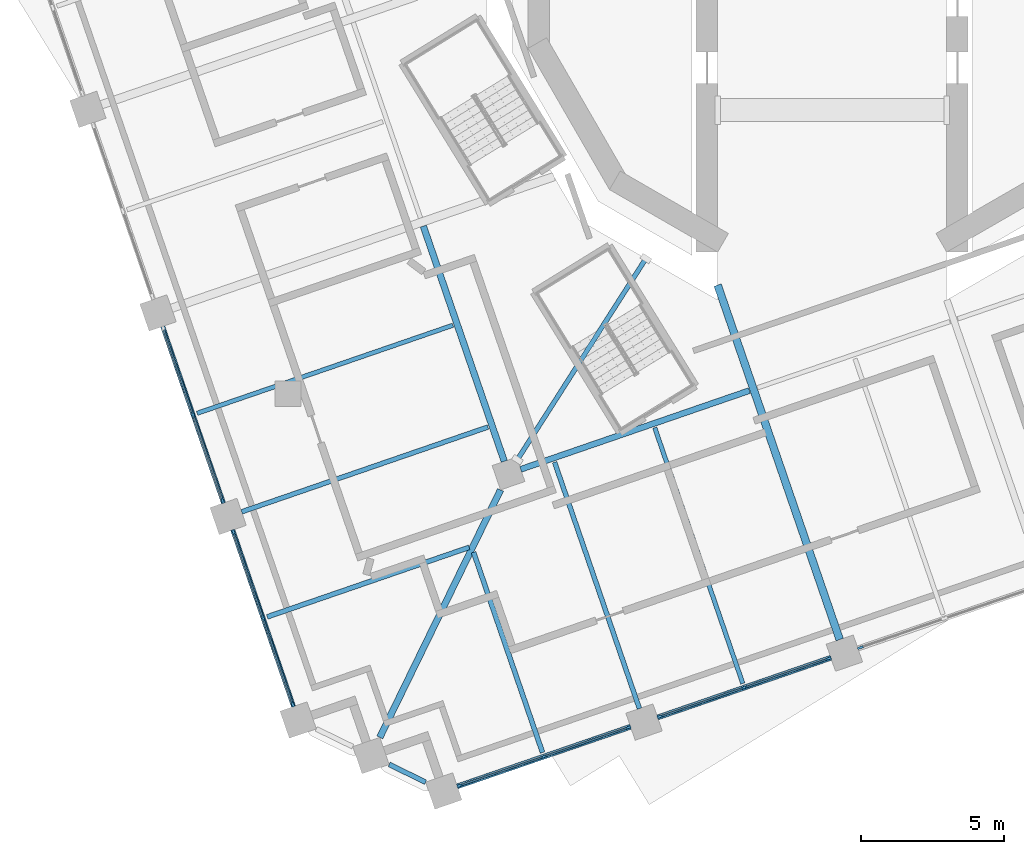
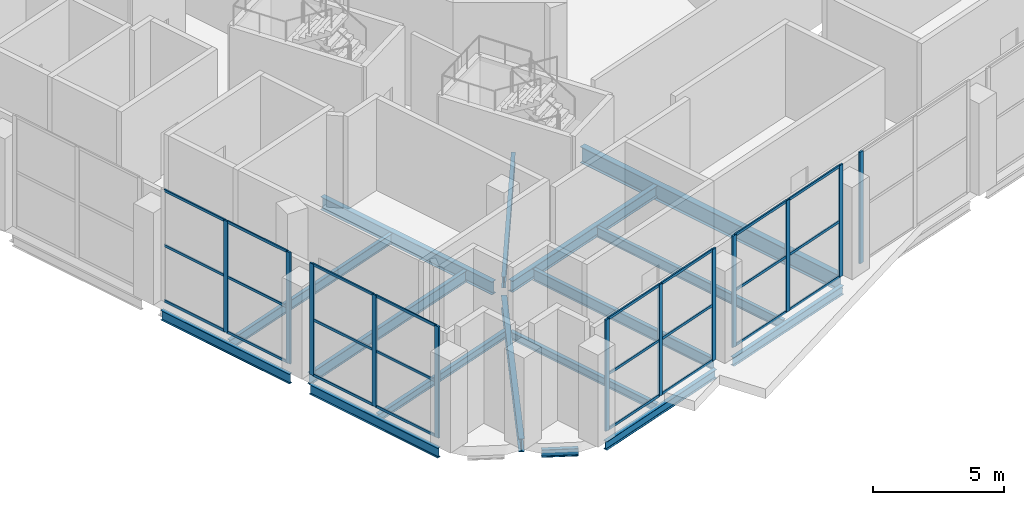
# One storey, part 2 of 20: 36 members, 16 beams, 5 elements without a shape of their own.
"""IFC4 building model written with IfcOpenShell, lengths in metres."""

from ifc_helpers import new_model, si_unit, direction, frame, origin, origin_2d, place, context, subcontext, project, spatial, rectangle, i_section, extrude, material, material_profile, profile_set, type_object, element, aggregate, save


model = new_model("IFC4")

# Units and contexts
model_context = context("Model", 3, precision=1e-05, world=origin(), true_north=direction((0.0, 1.0)))
body_context = subcontext(model_context, "Body", "Model", "MODEL_VIEW")
ifc_project = project(units=[si_unit("LENGTHUNIT", "METRE"), si_unit("AREAUNIT", "SQUARE_METRE"), si_unit("VOLUMEUNIT", "CUBIC_METRE"), si_unit("PLANEANGLEUNIT", "RADIAN"), si_unit("MASSUNIT", "GRAM", prefix="KILO")], contexts=[model_context])

# Site, building, storey
site_placement = place(None, origin())
site = spatial("IfcSite", under=ifc_project, at=site_placement, CompositionType="ELEMENT")
building_placement = place(site_placement, origin())
building = spatial("IfcBuilding", under=site, at=building_placement, Name="Cantera Rosa Tower", CompositionType="ELEMENT")
storey_placement = place(building_placement, frame((0.0, 0.0, 142.10009765625)))
storey = spatial("IfcBuildingStorey", under=building, at=storey_placement, Name="L30", CompositionType="ELEMENT", Elevation=142.10009765625)

# Curtain wall, members
ifc_material_1 = material(Name="Anodised aluminium louvre", Category="aluminium")
curtain_wall_type = type_object("IfcCurtainWallType", Name="CW3 REFUGE LOUVRE WALL", PredefinedType="NOTDEFINED", material=ifc_material_1)
curtain_wall_1_placement = place(storey_placement, origin())
curtain_wall_1 = element("IfcCurtainWall", 1, at=curtain_wall_1_placement, inside=storey, type_object=curtain_wall_type, Name="CW3 CW3", PredefinedType="NOTDEFINED")
ifc_material_2 = material(Name="Anodised bronze aluminium", Category="aluminium")
ifc_material_profile_1 = material_profile(ifc_material_2, rectangle(XDim=0.080078125, YDim=0.199951171875, at=origin_2d()), Name="CW-MULLION 80x200 REFUGE")
ifc_profile_set_1 = profile_set([ifc_material_profile_1], Name="Anodised bronze aluminium")
member_type_1 = type_object("IfcMemberType", Name="CW-MULLION 80x200 REFUGE", PredefinedType="MULLION", material=ifc_profile_set_1)
member_1_placement = place(storey_placement, frame((-22.32421875, -15.64013671875, 0.0), z_axis=(0.0, 0.0, 1.0), x_axis=(0.945518575594, 0.325568154474, 0.0)))
member_1 = element("IfcMember", 2, at=member_1_placement, type_object=member_type_1, Name="CW3 mullion 2", PredefinedType="MULLION", context=body_context, shape_type="SweptSolid", body=[
    extrude(rectangle(XDim=0.080078125, YDim=0.199951171875, at=origin_2d()), origin(), (0.0, 0.0, 1.0), 5.199951171875),
])
member_2_placement = place(storey_placement, frame((-21.292236328125, -18.637451171875, 0.0), z_axis=(0.0, 0.0, 1.0), x_axis=(0.945518575594, 0.325568154474, 0.0)))
member_2 = element("IfcMember", 3, at=member_2_placement, type_object=member_type_1, Name="CW3 mullion 3", PredefinedType="MULLION", context=body_context, shape_type="SweptSolid", body=[
    extrude(rectangle(XDim=0.080078125, YDim=0.199951171875, at=origin_2d()), origin(), (0.0, 0.0, 1.0), 5.199951171875),
])

curtain_wall_2_placement = place(storey_placement, origin())
curtain_wall_2 = element("IfcCurtainWall", 4, at=curtain_wall_2_placement, inside=storey, type_object=curtain_wall_type, Name="CW3 CW3", PredefinedType="NOTDEFINED")
member_3_placement = place(storey_placement, frame((-20.908203125, -19.753173828125, 0.0), z_axis=(0.0, 0.0, 1.0), x_axis=(0.945518575605, 0.325568154441, 0.0)))
member_3 = element("IfcMember", 5, at=member_3_placement, type_object=member_type_1, Name="CW3 mullion 1", PredefinedType="MULLION", context=body_context, shape_type="SweptSolid", body=[
    extrude(rectangle(XDim=0.080078125, YDim=0.199951171875, at=origin_2d()), origin(), (0.0, 0.0, 1.0), 5.199951171875),
])
member_4_placement = place(storey_placement, frame((-19.8759765625, -22.75048828125, 0.0), z_axis=(0.0, 0.0, 1.0), x_axis=(0.945518575605, 0.325568154441, 0.0)))
member_4 = element("IfcMember", 6, at=member_4_placement, type_object=member_type_1, Name="CW3 mullion 2", PredefinedType="MULLION", context=body_context, shape_type="SweptSolid", body=[
    extrude(rectangle(XDim=0.080078125, YDim=0.199951171875, at=origin_2d()), origin(), (0.0, 0.0, 1.0), 5.199951171875),
])
member_5_placement = place(storey_placement, frame((-18.843994140625, -25.747802734375, 0.0), z_axis=(0.0, 0.0, 1.0), x_axis=(0.945518575605, 0.325568154441, 0.0)))
member_5 = element("IfcMember", 7, at=member_5_placement, type_object=member_type_1, Name="CW3 mullion 3", PredefinedType="MULLION", context=body_context, shape_type="SweptSolid", body=[
    extrude(rectangle(XDim=0.080078125, YDim=0.199951171875, at=origin_2d()), origin(), (0.0, 0.0, 1.0), 5.199951171875),
])

curtain_wall_3_placement = place(storey_placement, origin())
curtain_wall_3 = element("IfcCurtainWall", 8, at=curtain_wall_3_placement, inside=storey, type_object=curtain_wall_type, Name="CW3 CW3", PredefinedType="NOTDEFINED")
member_6_placement = place(storey_placement, frame((-13.009765625, -28.59326171875, 0.0), z_axis=(0.0, 0.0, 1.0), x_axis=(-0.325568154408, 0.945518575616, 0.0)))
member_6 = element("IfcMember", 9, at=member_6_placement, type_object=member_type_1, Name="CW3 mullion 1", PredefinedType="MULLION", context=body_context, shape_type="SweptSolid", body=[
    extrude(rectangle(XDim=0.080078125, YDim=0.199951171875, at=origin_2d()), origin(), (0.0, 0.0, 1.0), 5.199951171875),
])
member_7_placement = place(storey_placement, frame((-10.069091796875, -27.580810546875, 0.0), z_axis=(0.0, 0.0, 1.0), x_axis=(-0.325568154408, 0.945518575616, 0.0)))
member_7 = element("IfcMember", 10, at=member_7_placement, type_object=member_type_1, Name="CW3 mullion 2", PredefinedType="MULLION", context=body_context, shape_type="SweptSolid", body=[
    extrude(rectangle(XDim=0.080078125, YDim=0.199951171875, at=origin_2d()), origin(), (0.0, 0.0, 1.0), 5.199951171875),
])
member_8_placement = place(storey_placement, frame((-7.128662109375, -26.568359375, 0.0), z_axis=(0.0, 0.0, 1.0), x_axis=(-0.325568154408, 0.945518575616, 0.0)))
member_8 = element("IfcMember", 11, at=member_8_placement, type_object=member_type_1, Name="CW3 mullion 3", PredefinedType="MULLION", context=body_context, shape_type="SweptSolid", body=[
    extrude(rectangle(XDim=0.080078125, YDim=0.199951171875, at=origin_2d()), origin(), (0.0, 0.0, 1.0), 5.199951171875),
])

curtain_wall_4_placement = place(storey_placement, origin())
curtain_wall_4 = element("IfcCurtainWall", 12, at=curtain_wall_4_placement, inside=storey, type_object=curtain_wall_type, Name="CW3 CW3", PredefinedType="NOTDEFINED")
member_9_placement = place(storey_placement, frame((-6.012939453125, -26.18408203125, 0.0), z_axis=(0.0, 0.0, 1.0), x_axis=(-0.325568154457, 0.945518575599, 0.0)))
member_9 = element("IfcMember", 13, at=member_9_placement, type_object=member_type_1, Name="CW3 mullion 1", PredefinedType="MULLION", context=body_context, shape_type="SweptSolid", body=[
    extrude(rectangle(XDim=0.080078125, YDim=0.199951171875, at=origin_2d()), origin(), (0.0, 0.0, 1.0), 5.199951171875),
])
member_10_placement = place(storey_placement, frame((-3.072265625, -25.171630859375, 0.0), z_axis=(0.0, 0.0, 1.0), x_axis=(-0.325568154457, 0.945518575599, 0.0)))
member_10 = element("IfcMember", 14, at=member_10_placement, type_object=member_type_1, Name="CW3 mullion 2", PredefinedType="MULLION", context=body_context, shape_type="SweptSolid", body=[
    extrude(rectangle(XDim=0.080078125, YDim=0.199951171875, at=origin_2d()), origin(), (0.0, 0.0, 1.0), 5.199951171875),
])
member_11_placement = place(storey_placement, frame((-0.1318359375, -24.1591796875, 0.0), z_axis=(0.0, 0.0, 1.0), x_axis=(-0.325568154457, 0.945518575599, 0.0)))
member_11 = element("IfcMember", 15, at=member_11_placement, type_object=member_type_1, Name="CW3 mullion 3", PredefinedType="MULLION", context=body_context, shape_type="SweptSolid", body=[
    extrude(rectangle(XDim=0.080078125, YDim=0.199951171875, at=origin_2d()), origin(), (0.0, 0.0, 1.0), 5.199951171875),
])

# Curtain wall, member
curtain_wall_5_placement = place(storey_placement, origin())
curtain_wall_5 = element("IfcCurtainWall", 16, at=curtain_wall_5_placement, inside=storey, type_object=curtain_wall_type, Name="CW3 CW3", PredefinedType="NOTDEFINED")
member_12_placement = place(storey_placement, frame((0.98388671875, -23.77490234375, 0.0), z_axis=(0.0, 0.0, 1.0), x_axis=(-0.325568154408, 0.945518575616, 0.0)))
member_12 = element("IfcMember", 17, at=member_12_placement, type_object=member_type_1, Name="CW3 mullion 1", PredefinedType="MULLION", context=body_context, shape_type="SweptSolid", body=[
    extrude(rectangle(XDim=0.080078125, YDim=0.199951171875, at=origin_2d()), origin(), (0.0, 0.0, 1.0), 5.199951171875),
])
aggregate(curtain_wall_5, [member_12])

# Member
ifc_material_3 = material(Name="Anodised bronze aluminium", Category="aluminium")
ifc_material_profile_2 = material_profile(ifc_material_3, rectangle(XDim=0.06005859375, YDim=0.1201171875, at=origin_2d()), Name="CW-TRANSOM 60x120 REFUGE")
ifc_profile_set_2 = profile_set([ifc_material_profile_2], Name="Anodised bronze aluminium")
member_type_2 = type_object("IfcMemberType", Name="CW-TRANSOM 60x120 REFUGE", PredefinedType="USERDEFINED", material=ifc_profile_set_2)
member_13_placement = place(storey_placement, frame((-23.34326171875, -12.6806640625, 0.02978515625), z_axis=(0.325527993713, -0.945532403098, 0.0), x_axis=(0.945532403098, 0.325527993713, 0.0)))
member_13 = element("IfcMember", 18, at=member_13_placement, type_object=member_type_2, Name="CW3 transom 1.1", ObjectType="TRANSOM", PredefinedType="USERDEFINED", context=body_context, shape_type="SweptSolid", body=[
    extrude(rectangle(XDim=0.06005859375, YDim=0.1201171875, at=origin_2d()), origin(), (0.0, 0.0, 1.0), 3.08984375),
])

member_14_placement = place(storey_placement, frame((-23.34326171875, -12.6806640625, 2.599853515625), z_axis=(0.325527993713, -0.945532403098, 0.0), x_axis=(0.945532403098, 0.325527993713, 0.0)))
member_14 = element("IfcMember", 19, at=member_14_placement, type_object=member_type_2, Name="CW3 transom 1.2", ObjectType="TRANSOM", PredefinedType="USERDEFINED", context=body_context, shape_type="SweptSolid", body=[
    extrude(rectangle(XDim=0.06005859375, YDim=0.1201171875, at=origin_2d()), origin(), (0.0, 0.0, 1.0), 3.08984375),
])

member_15_placement = place(storey_placement, frame((-23.34326171875, -12.6806640625, 5.169921875), z_axis=(0.325527993713, -0.945532403098, 0.0), x_axis=(0.945532403098, 0.325527993713, 0.0)))
member_15 = element("IfcMember", 20, at=member_15_placement, type_object=member_type_2, Name="CW3 transom 1.3", ObjectType="TRANSOM", PredefinedType="USERDEFINED", context=body_context, shape_type="SweptSolid", body=[
    extrude(rectangle(XDim=0.06005859375, YDim=0.1201171875, at=origin_2d()), origin(), (0.0, 0.0, 1.0), 3.08984375),
])

member_16_placement = place(storey_placement, frame((-22.311279296875, -15.677978515625, 0.02978515625), z_axis=(0.325598629893, -0.945508081516, 0.0), x_axis=(0.945508081516, 0.325598629893, 0.0)))
member_16 = element("IfcMember", 21, at=member_16_placement, type_object=member_type_2, Name="CW3 transom 2.1", ObjectType="TRANSOM", PredefinedType="USERDEFINED", context=body_context, shape_type="SweptSolid", body=[
    extrude(rectangle(XDim=0.06005859375, YDim=0.1201171875, at=origin_2d()), origin(), (0.0, 0.0, 1.0), 3.090087890625),
])

member_17_placement = place(storey_placement, frame((-22.311279296875, -15.677978515625, 2.599853515625), z_axis=(0.325598629893, -0.945508081516, 0.0), x_axis=(0.945508081516, 0.325598629893, 0.0)))
member_17 = element("IfcMember", 22, at=member_17_placement, type_object=member_type_2, Name="CW3 transom 2.2", ObjectType="TRANSOM", PredefinedType="USERDEFINED", context=body_context, shape_type="SweptSolid", body=[
    extrude(rectangle(XDim=0.06005859375, YDim=0.1201171875, at=origin_2d()), origin(), (0.0, 0.0, 1.0), 3.090087890625),
])

member_18_placement = place(storey_placement, frame((-22.311279296875, -15.677978515625, 5.169921875), z_axis=(0.325598629893, -0.945508081516, 0.0), x_axis=(0.945508081516, 0.325598629893, 0.0)))
member_18 = element("IfcMember", 23, at=member_18_placement, type_object=member_type_2, Name="CW3 transom 2.3", ObjectType="TRANSOM", PredefinedType="USERDEFINED", context=body_context, shape_type="SweptSolid", body=[
    extrude(rectangle(XDim=0.06005859375, YDim=0.1201171875, at=origin_2d()), origin(), (0.0, 0.0, 1.0), 3.090087890625),
])

aggregate(curtain_wall_1, [member_1, member_2, member_13, member_14, member_15, member_16, member_17, member_18])

member_19_placement = place(storey_placement, frame((-20.89501953125, -19.791015625, 0.02978515625), z_axis=(0.325527993713, -0.945532403098, 0.0), x_axis=(0.945532403098, 0.325527993713, 0.0)))
member_19 = element("IfcMember", 24, at=member_19_placement, type_object=member_type_2, Name="CW3 transom 1.1", ObjectType="TRANSOM", PredefinedType="USERDEFINED", context=body_context, shape_type="SweptSolid", body=[
    extrude(rectangle(XDim=0.06005859375, YDim=0.1201171875, at=origin_2d()), origin(), (0.0, 0.0, 1.0), 3.08984375),
])

member_20_placement = place(storey_placement, frame((-20.89501953125, -19.791015625, 2.599853515625), z_axis=(0.325527993713, -0.945532403098, 0.0), x_axis=(0.945532403098, 0.325527993713, 0.0)))
member_20 = element("IfcMember", 25, at=member_20_placement, type_object=member_type_2, Name="CW3 transom 1.2", ObjectType="TRANSOM", PredefinedType="USERDEFINED", context=body_context, shape_type="SweptSolid", body=[
    extrude(rectangle(XDim=0.06005859375, YDim=0.1201171875, at=origin_2d()), origin(), (0.0, 0.0, 1.0), 3.08984375),
])

member_21_placement = place(storey_placement, frame((-20.89501953125, -19.791015625, 5.169921875), z_axis=(0.325527993713, -0.945532403098, 0.0), x_axis=(0.945532403098, 0.325527993713, 0.0)))
member_21 = element("IfcMember", 26, at=member_21_placement, type_object=member_type_2, Name="CW3 transom 1.3", ObjectType="TRANSOM", PredefinedType="USERDEFINED", context=body_context, shape_type="SweptSolid", body=[
    extrude(rectangle(XDim=0.06005859375, YDim=0.1201171875, at=origin_2d()), origin(), (0.0, 0.0, 1.0), 3.08984375),
])

member_22_placement = place(storey_placement, frame((-19.863037109375, -22.788330078125, 0.02978515625), z_axis=(0.325598629893, -0.945508081516, 0.0), x_axis=(0.945508081516, 0.325598629893, 0.0)))
member_22 = element("IfcMember", 27, at=member_22_placement, type_object=member_type_2, Name="CW3 transom 2.1", ObjectType="TRANSOM", PredefinedType="USERDEFINED", context=body_context, shape_type="SweptSolid", body=[
    extrude(rectangle(XDim=0.06005859375, YDim=0.1201171875, at=origin_2d()), origin(), (0.0, 0.0, 1.0), 3.090087890625),
])

member_23_placement = place(storey_placement, frame((-19.863037109375, -22.788330078125, 2.599853515625), z_axis=(0.325598629893, -0.945508081516, 0.0), x_axis=(0.945508081516, 0.325598629893, 0.0)))
member_23 = element("IfcMember", 28, at=member_23_placement, type_object=member_type_2, Name="CW3 transom 2.2", ObjectType="TRANSOM", PredefinedType="USERDEFINED", context=body_context, shape_type="SweptSolid", body=[
    extrude(rectangle(XDim=0.06005859375, YDim=0.1201171875, at=origin_2d()), origin(), (0.0, 0.0, 1.0), 3.090087890625),
])

member_24_placement = place(storey_placement, frame((-19.863037109375, -22.788330078125, 5.169921875), z_axis=(0.325598629893, -0.945508081516, 0.0), x_axis=(0.945508081516, 0.325598629893, 0.0)))
member_24 = element("IfcMember", 29, at=member_24_placement, type_object=member_type_2, Name="CW3 transom 2.3", ObjectType="TRANSOM", PredefinedType="USERDEFINED", context=body_context, shape_type="SweptSolid", body=[
    extrude(rectangle(XDim=0.06005859375, YDim=0.1201171875, at=origin_2d()), origin(), (0.0, 0.0, 1.0), 3.090087890625),
])

aggregate(curtain_wall_2, [member_3, member_4, member_5, member_19, member_20, member_21, member_22, member_23, member_24])

member_25_placement = place(storey_placement, frame((-12.971923828125, -28.580322265625, 0.02978515625), z_axis=(0.94551075118, 0.325590877334, 0.0), x_axis=(-0.325590877334, 0.94551075118, 0.0)))
member_25 = element("IfcMember", 30, at=member_25_placement, type_object=member_type_2, Name="CW3 transom 1.1", ObjectType="TRANSOM", PredefinedType="USERDEFINED", context=body_context, shape_type="SweptSolid", body=[
    extrude(rectangle(XDim=0.06005859375, YDim=0.1201171875, at=origin_2d()), origin(), (0.0, 0.0, 1.0), 3.030029296875),
])

member_26_placement = place(storey_placement, frame((-12.971923828125, -28.580322265625, 2.599853515625), z_axis=(0.94551075118, 0.325590877334, 0.0), x_axis=(-0.325590877334, 0.94551075118, 0.0)))
member_26 = element("IfcMember", 31, at=member_26_placement, type_object=member_type_2, Name="CW3 transom 1.2", ObjectType="TRANSOM", PredefinedType="USERDEFINED", context=body_context, shape_type="SweptSolid", body=[
    extrude(rectangle(XDim=0.06005859375, YDim=0.1201171875, at=origin_2d()), origin(), (0.0, 0.0, 1.0), 3.030029296875),
])

member_27_placement = place(storey_placement, frame((-12.971923828125, -28.580322265625, 5.169921875), z_axis=(0.94551075118, 0.325590877334, 0.0), x_axis=(-0.325590877334, 0.94551075118, 0.0)))
member_27 = element("IfcMember", 32, at=member_27_placement, type_object=member_type_2, Name="CW3 transom 1.3", ObjectType="TRANSOM", PredefinedType="USERDEFINED", context=body_context, shape_type="SweptSolid", body=[
    extrude(rectangle(XDim=0.06005859375, YDim=0.1201171875, at=origin_2d()), origin(), (0.0, 0.0, 1.0), 3.030029296875),
])

member_28_placement = place(storey_placement, frame((-10.03125, -27.56787109375, 0.02978515625), z_axis=(0.945502208828, 0.325615683132, 0.0), x_axis=(-0.325615683132, 0.945502208828, 0.0)))
member_28 = element("IfcMember", 33, at=member_28_placement, type_object=member_type_2, Name="CW3 transom 2.1", ObjectType="TRANSOM", PredefinedType="USERDEFINED", context=body_context, shape_type="SweptSolid", body=[
    extrude(rectangle(XDim=0.06005859375, YDim=0.1201171875, at=origin_2d()), origin(), (0.0, 0.0, 1.0), 3.02978515625),
])

member_29_placement = place(storey_placement, frame((-10.03125, -27.56787109375, 2.599853515625), z_axis=(0.945502208828, 0.325615683132, 0.0), x_axis=(-0.325615683132, 0.945502208828, 0.0)))
member_29 = element("IfcMember", 34, at=member_29_placement, type_object=member_type_2, Name="CW3 transom 2.2", ObjectType="TRANSOM", PredefinedType="USERDEFINED", context=body_context, shape_type="SweptSolid", body=[
    extrude(rectangle(XDim=0.06005859375, YDim=0.1201171875, at=origin_2d()), origin(), (0.0, 0.0, 1.0), 3.02978515625),
])

member_30_placement = place(storey_placement, frame((-10.03125, -27.56787109375, 5.169921875), z_axis=(0.945502208828, 0.325615683132, 0.0), x_axis=(-0.325615683132, 0.945502208828, 0.0)))
member_30 = element("IfcMember", 35, at=member_30_placement, type_object=member_type_2, Name="CW3 transom 2.3", ObjectType="TRANSOM", PredefinedType="USERDEFINED", context=body_context, shape_type="SweptSolid", body=[
    extrude(rectangle(XDim=0.06005859375, YDim=0.1201171875, at=origin_2d()), origin(), (0.0, 0.0, 1.0), 3.02978515625),
])

aggregate(curtain_wall_3, [member_6, member_7, member_8, member_25, member_26, member_27, member_28, member_29, member_30])

member_31_placement = place(storey_placement, frame((-5.97509765625, -26.171142578125, 0.02978515625), z_axis=(0.94551075118, 0.325590877334, 0.0), x_axis=(-0.325590877334, 0.94551075118, 0.0)))
member_31 = element("IfcMember", 36, at=member_31_placement, type_object=member_type_2, Name="CW3 transom 1.1", ObjectType="TRANSOM", PredefinedType="USERDEFINED", context=body_context, shape_type="SweptSolid", body=[
    extrude(rectangle(XDim=0.06005859375, YDim=0.1201171875, at=origin_2d()), origin(), (0.0, 0.0, 1.0), 3.030029296875),
])

member_32_placement = place(storey_placement, frame((-5.97509765625, -26.171142578125, 2.599853515625), z_axis=(0.94551075118, 0.325590877334, 0.0), x_axis=(-0.325590877334, 0.94551075118, 0.0)))
member_32 = element("IfcMember", 37, at=member_32_placement, type_object=member_type_2, Name="CW3 transom 1.2", ObjectType="TRANSOM", PredefinedType="USERDEFINED", context=body_context, shape_type="SweptSolid", body=[
    extrude(rectangle(XDim=0.06005859375, YDim=0.1201171875, at=origin_2d()), origin(), (0.0, 0.0, 1.0), 3.030029296875),
])

member_33_placement = place(storey_placement, frame((-5.97509765625, -26.171142578125, 5.169921875), z_axis=(0.94551075118, 0.325590877334, 0.0), x_axis=(-0.325590877334, 0.94551075118, 0.0)))
member_33 = element("IfcMember", 38, at=member_33_placement, type_object=member_type_2, Name="CW3 transom 1.3", ObjectType="TRANSOM", PredefinedType="USERDEFINED", context=body_context, shape_type="SweptSolid", body=[
    extrude(rectangle(XDim=0.06005859375, YDim=0.1201171875, at=origin_2d()), origin(), (0.0, 0.0, 1.0), 3.030029296875),
])

member_34_placement = place(storey_placement, frame((-3.034423828125, -25.15869140625, 0.02978515625), z_axis=(0.945502208828, 0.325615683132, 0.0), x_axis=(-0.325615683132, 0.945502208828, 0.0)))
member_34 = element("IfcMember", 39, at=member_34_placement, type_object=member_type_2, Name="CW3 transom 2.1", ObjectType="TRANSOM", PredefinedType="USERDEFINED", context=body_context, shape_type="SweptSolid", body=[
    extrude(rectangle(XDim=0.06005859375, YDim=0.1201171875, at=origin_2d()), origin(), (0.0, 0.0, 1.0), 3.02978515625),
])

member_35_placement = place(storey_placement, frame((-3.034423828125, -25.15869140625, 2.599853515625), z_axis=(0.945502208828, 0.325615683132, 0.0), x_axis=(-0.325615683132, 0.945502208828, 0.0)))
member_35 = element("IfcMember", 40, at=member_35_placement, type_object=member_type_2, Name="CW3 transom 2.2", ObjectType="TRANSOM", PredefinedType="USERDEFINED", context=body_context, shape_type="SweptSolid", body=[
    extrude(rectangle(XDim=0.06005859375, YDim=0.1201171875, at=origin_2d()), origin(), (0.0, 0.0, 1.0), 3.02978515625),
])

member_36_placement = place(storey_placement, frame((-3.034423828125, -25.15869140625, 5.169921875), z_axis=(0.945502208828, 0.325615683132, 0.0), x_axis=(-0.325615683132, 0.945502208828, 0.0)))
member_36 = element("IfcMember", 41, at=member_36_placement, type_object=member_type_2, Name="CW3 transom 2.3", ObjectType="TRANSOM", PredefinedType="USERDEFINED", context=body_context, shape_type="SweptSolid", body=[
    extrude(rectangle(XDim=0.06005859375, YDim=0.1201171875, at=origin_2d()), origin(), (0.0, 0.0, 1.0), 3.02978515625),
])

aggregate(curtain_wall_4, [member_9, member_10, member_11, member_31, member_32, member_33, member_34, member_35, member_36])

# Beams
ifc_material_4 = material(Name="Steel ASTM A992 (Fy 345 MPa)", Category="steel")
ifc_material_profile_3 = material_profile(ifc_material_4, i_section(OverallWidth=0.166015625, OverallDepth=0.528076171875, WebThickness=0.009765625, FlangeThickness=0.013671875, FilletRadius=0.0126953125, at=origin_2d()), Name="W530X74")
ifc_profile_set_3 = profile_set([ifc_material_profile_3], Name="Steel ASTM A992 (Fy 345 MPa)")
beam_type_1 = type_object("IfcBeamType", Name="STEEL BEAM W530X74", PredefinedType="BEAM", material=ifc_profile_set_3)
for number, where, z_axis, x_axis, name in (
    (42, (-6.7333984375, -25.903564453125, -0.714111328125), (-0.325588827377, 0.945511457089, 0.0), (-0.945511457089, -0.325588827377, 0.0), "G-Z2-10 L30"),
    (43, (-20.62744140625, -19.032470703125, -0.714111328125), (0.94551971591, 0.325564842737, 0.0), (-0.325564842737, 0.94551971591, 0.0), "G-Z2-18 L30"),
):
    element("IfcBeam", number, at=place(storey_placement, frame(where, z_axis=z_axis, x_axis=x_axis)), inside=storey, type_object=beam_type_1, Name=name, PredefinedType="BEAM", context=body_context, shape_type="SweptSolid", body=[
        extrude(i_section(OverallWidth=0.166015625, OverallDepth=0.528076171875, WebThickness=0.009765625, FlangeThickness=0.013671875, FilletRadius=0.0126953125, at=origin_2d()), origin(), (0.0, 0.0, 1.0), 9.10009765625),
    ])
beam_1_placement = place(storey_placement, frame((-10.995849609375, -17.21044921875, -0.714111328125), z_axis=(0.538396209095, 0.842691830999, 0.0), x_axis=(-0.842691830999, 0.538396209095, 0.0)))
element("IfcBeam", 44, at=beam_1_placement, inside=storey, type_object=beam_type_1, Name="PG-Z2-01 L30", PredefinedType="BEAM", context=body_context, shape_type="SweptSolid", body=[
    extrude(i_section(OverallWidth=0.166015625, OverallDepth=0.528076171875, WebThickness=0.009765625, FlangeThickness=0.013671875, FilletRadius=0.0126953125, at=origin_2d()), origin(), (0.0, 0.0, 1.0), 8.3369140625),
])
ifc_material_5 = material(Name="Steel ASTM A992 (Fy 345 MPa)", Category="steel")
ifc_material_profile_4 = material_profile(ifc_material_5, i_section(OverallWidth=0.208984375, OverallDepth=0.532958984375, WebThickness=0.01025390625, FlangeThickness=0.015625, FilletRadius=0.0126953125, at=origin_2d()), Name="W530X92")
ifc_profile_set_4 = profile_set([ifc_material_profile_4], Name="Steel ASTM A992 (Fy 345 MPa)")
beam_type_2 = type_object("IfcBeamType", Name="STEEL BEAM W530X92", PredefinedType="BEAM", material=ifc_profile_set_4)
beam_2_placement = place(storey_placement, frame((-10.879638671875, -17.548095703125, -0.716552734375), z_axis=(0.945522715377, 0.325556131421, 0.0), x_axis=(-0.325556131421, 0.945522715377, 0.0)))
element("IfcBeam", 45, at=beam_2_placement, inside=storey, type_object=beam_type_2, Name="RB-Z2-05 L30", PredefinedType="BEAM", context=body_context, shape_type="SweptSolid", body=[
    extrude(i_section(OverallWidth=0.208984375, OverallDepth=0.532958984375, WebThickness=0.01025390625, FlangeThickness=0.015625, FilletRadius=0.0126953125, at=origin_2d()), origin(), (0.0, 0.0, 1.0), 8.4501953125),
])
ifc_material_6 = material(Name="Steel ASTM A992 (Fy 345 MPa)", Category="steel")
ifc_material_profile_5 = material_profile(ifc_material_6, i_section(OverallWidth=0.22802734375, OverallDepth=0.60205078125, WebThickness=0.010498046875, FlangeThickness=0.014892578125, FilletRadius=0.0126953125, at=origin_2d()), Name="W610X101")
ifc_profile_set_5 = profile_set([ifc_material_profile_5], Name="Steel ASTM A992 (Fy 345 MPa)")
beam_type_3 = type_object("IfcBeamType", Name="STEEL BEAM W610X101", PredefinedType="BEAM", material=ifc_profile_set_5)
beam_3_placement = place(storey_placement, frame((-15.7998046875, -26.909912109375, -0.7509765625), z_axis=(0.438387618569, 0.898786012288, 0.0), x_axis=(-0.898786012288, 0.438387618569, 0.0)))
element("IfcBeam", 46, at=beam_3_placement, inside=storey, type_object=beam_type_3, Name="CB-Z2-03 L30", PredefinedType="BEAM", context=body_context, shape_type="SweptSolid", body=[
    extrude(i_section(OverallWidth=0.22802734375, OverallDepth=0.60205078125, WebThickness=0.010498046875, FlangeThickness=0.014892578125, FilletRadius=0.0126953125, at=origin_2d()), origin(), (0.0, 0.0, 1.0), 9.61669921875),
])
beam_4_placement = place(storey_placement, frame((-11.45166015625, -17.26904296875, -0.7509765625), z_axis=(-0.325559468466, 0.945521566381, 0.0), x_axis=(-0.945521566381, -0.325559468466, 0.0)))
element("IfcBeam", 47, at=beam_4_placement, inside=storey, type_object=beam_type_3, Name="RB-Z2-12 L30", PredefinedType="BEAM", context=body_context, shape_type="SweptSolid", body=[
    extrude(i_section(OverallWidth=0.22802734375, OverallDepth=0.60205078125, WebThickness=0.010498046875, FlangeThickness=0.014892578125, FilletRadius=0.0126953125, at=origin_2d()), origin(), (0.0, 0.0, 1.0), 8.68994140625),
])
ifc_material_7 = material(Name="Steel ASTM A992 (Fy 345 MPa)", Category="steel")
ifc_material_profile_6 = material_profile(ifc_material_7, i_section(OverallWidth=0.26708984375, OverallDepth=0.75390625, WebThickness=0.01318359375, FlangeThickness=0.01708984375, FilletRadius=0.0166015625, at=origin_2d()), Name="W760X147")
ifc_profile_set_6 = profile_set([ifc_material_profile_6], Name="Steel ASTM A992 (Fy 345 MPa)")
beam_type_4 = type_object("IfcBeamType", Name="STEEL BEAM W760X147", PredefinedType="BEAM", material=ifc_profile_set_6)
beam_5_placement = place(storey_placement, frame((0.263427734375, -23.494384765625, -0.8271484375), z_axis=(-0.325569500581, 0.945518112091, 0.0), x_axis=(-0.945518112091, -0.325569500581, 0.0)))
element("IfcBeam", 48, at=beam_5_placement, inside=storey, type_object=beam_type_4, Name="G-Z2-11 L30", PredefinedType="BEAM", context=body_context, shape_type="SweptSolid", body=[
    extrude(i_section(OverallWidth=0.26708984375, OverallDepth=0.75390625, WebThickness=0.01318359375, FlangeThickness=0.01708984375, FilletRadius=0.0166015625, at=origin_2d()), origin(), (0.0, 0.0, 1.0), 13.09521484375),
])
ifc_material_8 = material(Name="Steel ASTM A992 (Fy 345 MPa)", Category="steel")
ifc_material_profile_7 = material_profile(ifc_material_8, i_section(OverallWidth=0.1708984375, OverallDepth=0.35595703125, WebThickness=0.00732421875, FlangeThickness=0.01171875, FilletRadius=0.010009765625, at=origin_2d()), Name="W360X51")
ifc_profile_set_7 = profile_set([ifc_material_profile_7], Name="Steel ASTM A992 (Fy 345 MPa)")
beam_type_5 = type_object("IfcBeamType", Name="STEEL JOIST W360X51", PredefinedType="JOIST", material=ifc_profile_set_7)
beam_6_placement = place(storey_placement, frame((-10.117919921875, -27.43896484375, -0.628173828125), z_axis=(-0.325565645331, 0.945519439557, 0.0), x_axis=(-0.945519439557, -0.325565645331, 0.0)))
element("IfcBeam", 49, at=beam_6_placement, inside=storey, type_object=beam_type_5, Name="B-Z2-12 L30", PredefinedType="JOIST", context=body_context, shape_type="SweptSolid", body=[
    extrude(i_section(OverallWidth=0.1708984375, OverallDepth=0.35595703125, WebThickness=0.00732421875, FlangeThickness=0.01171875, FilletRadius=0.010009765625, at=origin_2d()), origin(), (0.0, 0.0, 1.0), 7.39990234375),
])
beam_7_placement = place(storey_placement, frame((-19.734130859375, -22.70166015625, -0.628173828125), z_axis=(0.945518264054, 0.32556905925, 0.0), x_axis=(-0.32556905925, 0.945518264054, 0.0)))
element("IfcBeam", 50, at=beam_7_placement, inside=storey, type_object=beam_type_5, Name="B-Z2-22 L30", PredefinedType="JOIST", context=body_context, shape_type="SweptSolid", body=[
    extrude(i_section(OverallWidth=0.1708984375, OverallDepth=0.35595703125, WebThickness=0.00732421875, FlangeThickness=0.01171875, FilletRadius=0.010009765625, at=origin_2d()), origin(), (0.0, 0.0, 1.0), 7.4599609375),
])
ifc_material_9 = material(Name="Steel ASTM A992 (Fy 345 MPa)", Category="steel")
ifc_material_profile_8 = material_profile(ifc_material_9, i_section(OverallWidth=0.154052734375, OverallDepth=0.4599609375, WebThickness=0.009033203125, FlangeThickness=0.015380859375, FilletRadius=0.01025390625, at=origin_2d()), Name="W460X68")
ifc_profile_set_8 = profile_set([ifc_material_profile_8], Name="Steel ASTM A992 (Fy 345 MPa)")
beam_type_6 = type_object("IfcBeamType", Name="STEEL JOIST W460X68", PredefinedType="JOIST", material=ifc_profile_set_8)
for number, where, z_axis, x_axis, name in (
    (51, (-3.12109375, -25.02978515625, -0.68017578125), (-0.325575037498, 0.94551620555, 0.0), (-0.94551620555, -0.325575037498, 0.0), "B-Z2-13 L30"),
    (52, (-22.182373046875, -15.59130859375, -0.68017578125), (0.94551620555, 0.325575037498, 0.0), (-0.325575037498, 0.94551620555, 0.0), "B-Z2-21 L30"),
):
    element("IfcBeam", number, at=place(storey_placement, frame(where, z_axis=z_axis, x_axis=x_axis)), inside=storey, type_object=beam_type_6, Name=name, PredefinedType="JOIST", context=body_context, shape_type="SweptSolid", body=[
        extrude(i_section(OverallWidth=0.154052734375, OverallDepth=0.4599609375, WebThickness=0.009033203125, FlangeThickness=0.015380859375, FilletRadius=0.01025390625, at=origin_2d()), origin(), (0.0, 0.0, 1.0), 9.449951171875),
    ])
ifc_material_10 = material(Name="Steel ASTM A992 (Fy 345 MPa)", Category="steel")
ifc_material_profile_9 = material_profile(ifc_material_10, i_section(OverallWidth=0.1708984375, OverallDepth=0.35595703125, WebThickness=0.00732421875, FlangeThickness=0.01171875, FilletRadius=0.010009765625, at=origin_2d()), Name="W360X51")
ifc_profile_set_9 = profile_set([ifc_material_profile_9], Name="Steel ASTM A992 (Fy 345 MPa)")
beam_type_7 = type_object("IfcBeamType", Name="STEEL SPANDREL BEAM W360X51", PredefinedType="SPANDREL", material=ifc_profile_set_9)
beam_8_placement = place(storey_placement, frame((-15.47412109375, -27.85546875, -0.628173828125), z_axis=(0.898803287583, -0.438352198842, 0.0), x_axis=(0.438352198842, 0.898803287583, 0.0)))
element("IfcBeam", 53, at=beam_8_placement, inside=storey, type_object=beam_type_7, Name="EB-Z2-22 L30", PredefinedType="SPANDREL", context=body_context, shape_type="SweptSolid", body=[
    extrude(i_section(OverallWidth=0.1708984375, OverallDepth=0.35595703125, WebThickness=0.00732421875, FlangeThickness=0.01171875, FilletRadius=0.010009765625, at=origin_2d()), origin(), (0.0, 0.0, 1.0), 1.4140625),
])
ifc_material_11 = material(Name="Steel ASTM A992 (Fy 345 MPa)", Category="steel")
ifc_material_profile_10 = material_profile(ifc_material_11, i_section(OverallWidth=0.177978515625, OverallDepth=0.406005859375, WebThickness=0.0078125, FlangeThickness=0.0126953125, FilletRadius=0.01025390625, at=origin_2d()), Name="W410X60")
ifc_profile_set_10 = profile_set([ifc_material_profile_10], Name="Steel ASTM A992 (Fy 345 MPa)")
beam_type_8 = type_object("IfcBeamType", Name="STEEL SPANDREL BEAM W410X60", PredefinedType="SPANDREL", material=ifc_profile_set_10)
for number, where, z_axis, x_axis, name in (
    (54, (-13.0947265625, -28.62255859375, -0.653076171875), (0.945524496524, 0.325550958337, 0.0), (-0.325550958337, 0.945524496524, 0.0), "EB-Z2-23 L30"),
    (55, (-6.097900390625, -26.21337890625, -0.653076171875), (0.945524496524, 0.325550958337, 0.0), (-0.325550958337, 0.945524496524, 0.0), "EB-Z2-24 L30"),
):
    element("IfcBeam", number, at=place(storey_placement, frame(where, z_axis=z_axis, x_axis=x_axis)), inside=storey, type_object=beam_type_8, Name=name, PredefinedType="SPANDREL", context=body_context, shape_type="SweptSolid", body=[
        extrude(i_section(OverallWidth=0.177978515625, OverallDepth=0.406005859375, WebThickness=0.0078125, FlangeThickness=0.0126953125, FilletRadius=0.01025390625, at=origin_2d()), origin(), (0.0, 0.0, 1.0), 6.39990234375),
    ])
ifc_material_12 = material(Name="Steel ASTM A992 (Fy 345 MPa)", Category="steel")
ifc_material_profile_11 = material_profile(ifc_material_12, i_section(OverallWidth=0.154052734375, OverallDepth=0.4599609375, WebThickness=0.009033203125, FlangeThickness=0.015380859375, FilletRadius=0.01025390625, at=origin_2d()), Name="W460X68")
ifc_profile_set_11 = profile_set([ifc_material_profile_11], Name="Steel ASTM A992 (Fy 345 MPa)")
beam_type_9 = type_object("IfcBeamType", Name="STEEL SPANDREL BEAM W460X68", PredefinedType="SPANDREL", material=ifc_profile_set_11)
beam_9_placement = place(storey_placement, frame((-23.3857421875, -12.557861328125, -0.68017578125), z_axis=(0.325580990241, -0.945514155787, 0.0), x_axis=(0.945514155787, 0.325580990241, 0.0)))
element("IfcBeam", 56, at=beam_9_placement, inside=storey, type_object=beam_type_9, Name="EB-Z2-19 L30", PredefinedType="SPANDREL", context=body_context, shape_type="SweptSolid", body=[
    extrude(i_section(OverallWidth=0.154052734375, OverallDepth=0.4599609375, WebThickness=0.009033203125, FlangeThickness=0.015380859375, FilletRadius=0.01025390625, at=origin_2d()), origin(), (0.0, 0.0, 1.0), 6.52001953125),
])
beam_10_placement = place(storey_placement, frame((-20.9375, -19.668212890625, -0.68017578125), z_axis=(0.325592517631, -0.945510186335, 0.0), x_axis=(0.945510186335, 0.325592517631, 0.0)))
element("IfcBeam", 57, at=beam_10_placement, inside=storey, type_object=beam_type_9, Name="EB-Z2-20 L30", PredefinedType="SPANDREL", context=body_context, shape_type="SweptSolid", body=[
    extrude(i_section(OverallWidth=0.154052734375, OverallDepth=0.4599609375, WebThickness=0.009033203125, FlangeThickness=0.015380859375, FilletRadius=0.01025390625, at=origin_2d()), origin(), (0.0, 0.0, 1.0), 6.519775390625),
])

save(model, "model.ifc")
